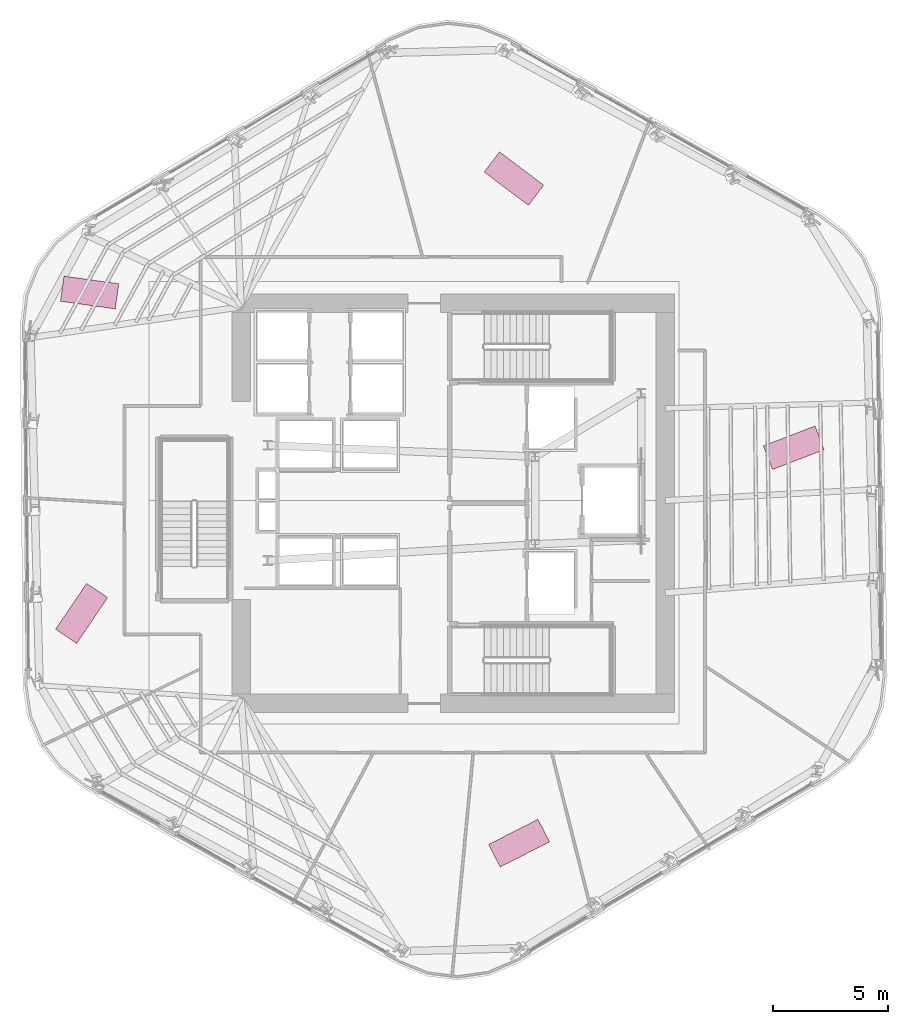
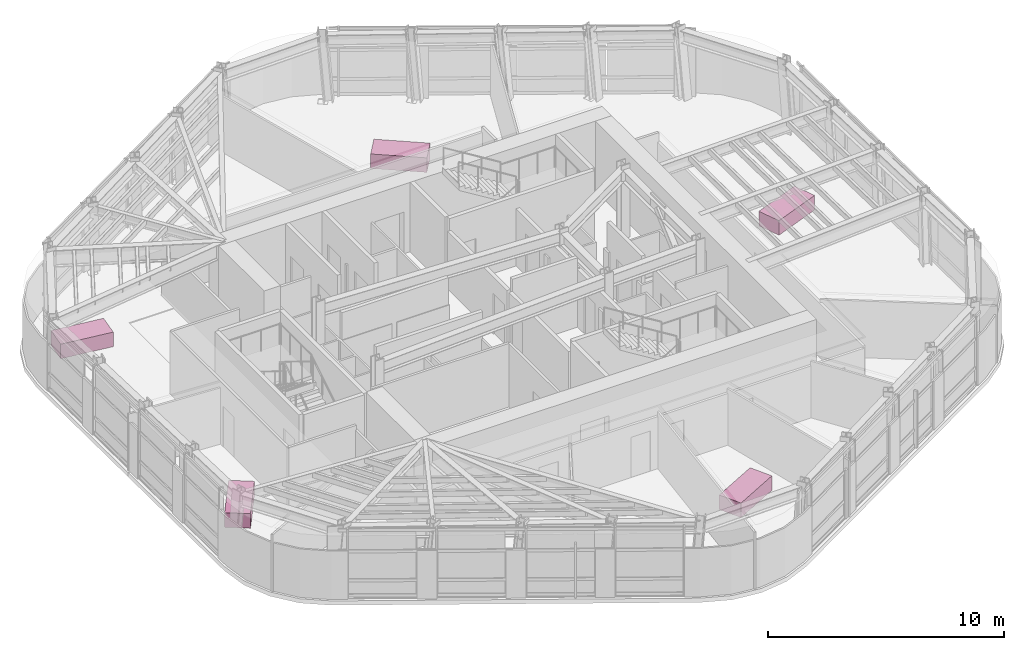
# One storey, part 16 of 16: 5 furniture elements.
"""IFC4 building model written with IfcOpenShell, lengths in metres."""

from ifc_helpers import new_model, si_unit, direction, frame, origin, origin_2d, place, context, subcontext, project, spatial, rectangle, extrude, material, type_object, element, save


model = new_model("IFC4")

# Units and contexts
model_context = context("Model", 3, precision=1e-05, world=origin(), true_north=direction((0.0, 1.0)))
body_context = subcontext(model_context, "Body", "Model", "MODEL_VIEW")
ifc_project = project(units=[si_unit("LENGTHUNIT", "METRE"), si_unit("AREAUNIT", "SQUARE_METRE"), si_unit("VOLUMEUNIT", "CUBIC_METRE"), si_unit("PLANEANGLEUNIT", "RADIAN"), si_unit("MASSUNIT", "GRAM", prefix="KILO")], contexts=[model_context])

# Site, building, storey
site_placement = place(None, origin())
site = spatial("IfcSite", under=ifc_project, at=site_placement, CompositionType="ELEMENT")
building_placement = place(site_placement, origin())
building = spatial("IfcBuilding", under=site, at=building_placement, Name="Valkerne Bourse Tower", CompositionType="ELEMENT")
storey_placement = place(building_placement, frame((0.0, 0.0, 155.199951171875)))
storey = spatial("IfcBuildingStorey", under=building, at=storey_placement, Name="L39", CompositionType="ELEMENT", Elevation=155.199951171875)

# Furniture
ifc_material = material(Name="Architectural White Oak Timber", Category="wood")
furniture_type = type_object("IfcFurnitureType", Name="FURN-DESK-2400", AssemblyPlace="NOTDEFINED", PredefinedType="DESK", material=ifc_material)
for number, where, z_axis, x_axis, name in (
    (1, (49.658935546875, 12.139892578125, 0.045166015625), (0.0, 0.0, 1.0), (0.891006524188, 0.45399049974, 0.0), "L39 Suite Worktable 06"),
    (2, (30.68701171875, 22.10498046875, 0.045166015625), (0.0, 0.0, 1.0), (0.559192903471, 0.829037572555, 0.0), "L39 Suite Worktable 07"),
    (3, (49.43603515625, 40.962890625, 0.045166015625), (0.0, 0.0, 1.0), (-0.798635510047, 0.601815023152, 0.0), "L39 Suite Worktable 10"),
    (4, (31.032958984375, 36.02197265625, 0.045166015625), (0.0, 0.0, 1.0), (-0.990268068742, 0.13917310096, 0.0), "L39 Suite Worktable 11"),
    (5, (61.570068359375, 29.2880859375, 0.045166015625), (0.0, 0.0, 1.0), (0.933580426497, 0.358367949545, 0.0), "L39 Suite Worktable 12"),
):
    element("IfcFurniture", number, at=place(storey_placement, frame(where, z_axis=z_axis, x_axis=x_axis)), inside=storey, type_object=furniture_type, Name=name, PredefinedType="DESK", context=body_context, shape_type="SweptSolid", body=[
        extrude(rectangle(XDim=2.39990234375, YDim=1.10009765625, at=origin_2d()), origin(), (0.0, 0.0, 1.0), 0.75),
    ])

save(model, "model.ifc")
